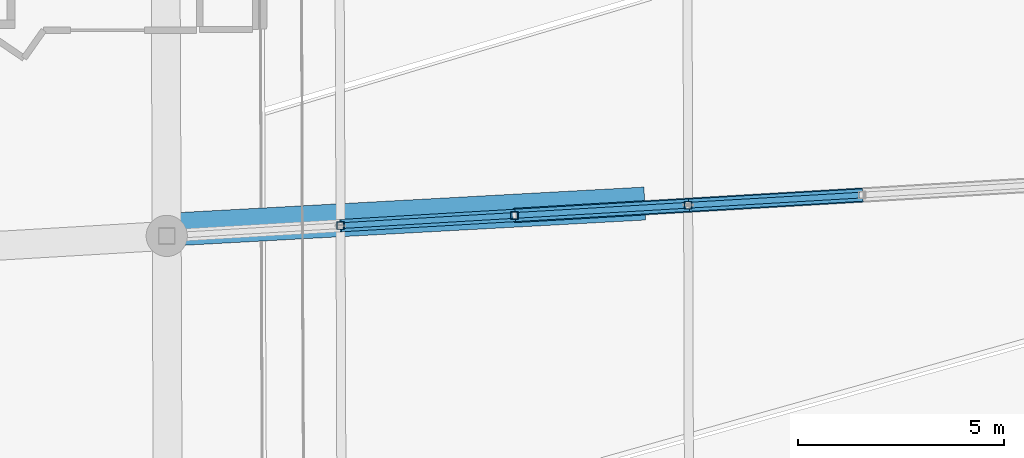
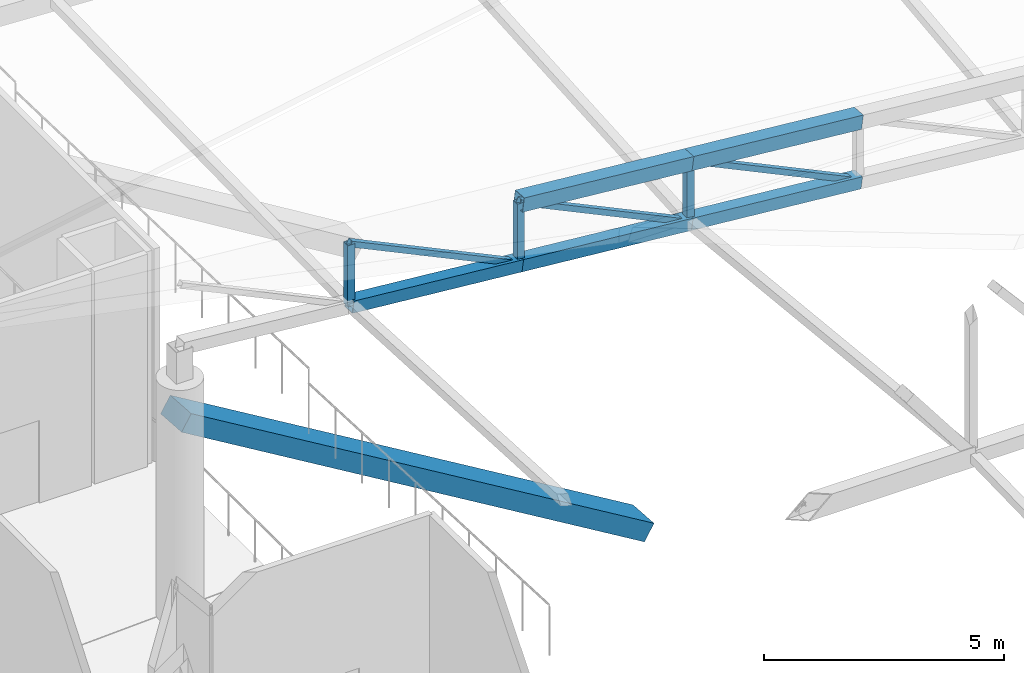
# One storey, part 50 of 344: 11 members, 1 beam.
"""IFC4 building model written with IfcOpenShell, lengths in metres."""

from ifc_helpers import new_model, si_unit, direction, frame, origin, origin_2d, place, context, subcontext, project, spatial, rectangle, hollow_rectangle, extrude, material, material_profile, profile_set, type_object, element, save


model = new_model("IFC4")

# Units and contexts
model_context = context("Model", 3, precision=1e-05, world=origin(), true_north=direction((0.0, 1.0)))
body_context = subcontext(model_context, "Body", "Model", "MODEL_VIEW")
ifc_project = project(units=[si_unit("LENGTHUNIT", "METRE"), si_unit("AREAUNIT", "SQUARE_METRE"), si_unit("VOLUMEUNIT", "CUBIC_METRE"), si_unit("PLANEANGLEUNIT", "RADIAN"), si_unit("MASSUNIT", "GRAM", prefix="KILO")], contexts=[model_context])

# Site, building, storey
site_placement = place(None, origin())
site = spatial("IfcSite", under=ifc_project, at=site_placement, CompositionType="ELEMENT")
building_placement = place(site_placement, origin())
building = spatial("IfcBuilding", under=site, at=building_placement, Name="Meseta Stadium", CompositionType="ELEMENT")
storey_placement = place(building_placement, frame((0.0, 0.0, 24.0)))
storey = spatial("IfcBuildingStorey", under=building, at=storey_placement, Name="L04", CompositionType="ELEMENT", Elevation=24.0)

# Beam
ifc_material_1 = material(Name="Concrete C40/50", Category="concrete")
ifc_material_profile_1 = material_profile(ifc_material_1, rectangle(XDim=0.800048828125, YDim=0.449951171875, at=origin_2d()), Name="RC 800x450")
ifc_profile_set_1 = profile_set([ifc_material_profile_1], Name="Concrete C40/50")
beam_type = type_object("IfcBeamType", Name="RC raker upper rear 800x450", PredefinedType="USERDEFINED", material=ifc_profile_set_1)
beam_placement = place(storey_placement, frame((-73.451416015625, -29.904052734375, -2.212158203125), z_axis=(-0.846740729014, -0.046430045715, 0.529975837831), x_axis=(0.054751589678, -0.998500006724, 0.0)))
element("IfcBeam", 1, at=beam_placement, inside=storey, type_object=beam_type, Name="Raker upper rear frame 35 upper tier", ObjectType="RAKER", PredefinedType="USERDEFINED", context=body_context, shape_type="SweptSolid", body=[
    extrude(rectangle(XDim=0.800048828125, YDim=0.449951171875, at=origin_2d()), origin(), (0.0, 0.0, 1.0), 13.56103515625),
])

# Members
ifc_material_2 = material(Name="Steel S355", Category="steel")
ifc_material_profile_2 = material_profile(ifc_material_2, hollow_rectangle(XDim=0.139892578125, YDim=0.139892578125, WallThickness=0.0048828125, at=origin_2d()), Name="SHS 140x140x5")
ifc_profile_set_2 = profile_set([ifc_material_profile_2], Name="Steel S355")
member_type_1 = type_object("IfcMemberType", Name="SHS 140x140x5 diagonal", PredefinedType="BRACE", material=ifc_profile_set_2)
for number, where, z_axis, x_axis, name in (
    (2, (-68.065673828125, -29.69140625, 4.508544921875), (-0.891499988097, -0.052362198096, 0.449984412435), (0.05863388944, -0.998279553537, 0.0), "ROOF TRUSS RT-35 diagonal"),
    (3, (-72.280517578125, -29.93896484375, 5.08154296875), (-0.891499988097, -0.052362198096, 0.449984412435), (0.05863388944, -0.998279553537, 0.0), "ROOF TRUSS RT-35 diagonal"),
):
    element("IfcMember", number, at=place(storey_placement, frame(where, z_axis=z_axis, x_axis=x_axis)), inside=storey, type_object=member_type_1, Name=name, PredefinedType="BRACE", context=body_context, shape_type="SweptSolid", body=[
        extrude(hollow_rectangle(XDim=0.139892578125, YDim=0.139892578125, WallThickness=0.0048828125, at=origin_2d()), origin(), (0.0, 0.0, 1.0), 4.727783203125),
    ])
member_1_placement = place(storey_placement, frame((-76.495361328125, -30.1865234375, 5.654296875), z_axis=(-0.891510585173, -0.052359787626, 0.449963697608), x_axis=(0.058630505001, -0.998279752316, 0.0)))
element("IfcMember", 4, at=member_1_placement, inside=storey, type_object=member_type_1, Name="ROOF TRUSS RT-35 diagonal", PredefinedType="BRACE", context=body_context, shape_type="SweptSolid", body=[
    extrude(hollow_rectangle(XDim=0.139892578125, YDim=0.139892578125, WallThickness=0.0048828125, at=origin_2d()), origin(), (0.0, 0.0, 1.0), 4.72802734375),
])
ifc_material_3 = material(Name="Steel S355", Category="steel")
ifc_material_profile_3 = material_profile(ifc_material_3, hollow_rectangle(XDim=0.179931640625, YDim=0.179931640625, WallThickness=0.00634765625, at=origin_2d()), Name="SHS 180x180x6.3")
ifc_profile_set_3 = profile_set([ifc_material_profile_3], Name="Steel S355")
member_type_2 = type_object("IfcMemberType", Name="SHS 180x180x6.3 post", PredefinedType="POST", material=ifc_profile_set_3)
member_2_placement = place(storey_placement, frame((-72.280517578125, -29.93896484375, 5.08154296875), z_axis=(0.0, 0.0, 1.0), x_axis=(1.0, 0.0, 0.0)))
element("IfcMember", 5, at=member_2_placement, inside=storey, type_object=member_type_2, Name="ROOF TRUSS RT-35 post", PredefinedType="POST", context=body_context, shape_type="SweptSolid", body=[
    extrude(hollow_rectangle(XDim=0.179931640625, YDim=0.179931640625, WallThickness=0.00634765625, at=origin_2d()), origin(), (0.0, 0.0, 1.0), 1.554443359375),
])
for number, where, z_axis, x_axis, name in (
    (6, (-76.495361328125, -30.1865234375, 5.654296875), (0.0, 0.0, 1.0), (1.0, 0.0, 0.0), "ROOF TRUSS RT-35 post"),
    (7, (-80.71044921875, -30.43408203125, 6.22705078125), (0.0, 0.0, 1.0), (1.0, 0.0, 0.0), "ROOF TRUSS RT-35 post"),
):
    element("IfcMember", number, at=place(storey_placement, frame(where, z_axis=z_axis, x_axis=x_axis)), inside=storey, type_object=member_type_2, Name=name, PredefinedType="POST", context=body_context, shape_type="SweptSolid", body=[
        extrude(hollow_rectangle(XDim=0.179931640625, YDim=0.179931640625, WallThickness=0.00634765625, at=origin_2d()), origin(), (0.0, 0.0, 1.0), 1.5546875),
    ])
ifc_material_4 = material(Name="Steel S355", Category="steel")
ifc_material_profile_4 = material_profile(ifc_material_4, hollow_rectangle(XDim=0.300048828125, YDim=0.300048828125, WallThickness=0.010009765625, at=origin_2d()), Name="SHS 300x300x10")
ifc_profile_set_4 = profile_set([ifc_material_profile_4], Name="Steel S355")
member_type_3 = type_object("IfcMemberType", Name="SHS 300x300x10 bottom chord", PredefinedType="CHORD", material=ifc_profile_set_4)
for number, where, z_axis, x_axis, name in (
    (8, (-68.065673828125, -29.69140625, 4.508544921875), (-0.989211361344, -0.058101269718, 0.134480946772), (0.05863388944, -0.998279553537, 0.0), "ROOF TRUSS RT-35 bottom chord"),
    (9, (-72.280517578125, -29.93896484375, 5.08154296875), (-0.98921898231, -0.058101717334, 0.1344246833), (0.05863388944, -0.998279553537, 0.0), "ROOF TRUSS RT-35 bottom chord"),
):
    element("IfcMember", number, at=place(storey_placement, frame(where, z_axis=z_axis, x_axis=x_axis)), inside=storey, type_object=member_type_3, Name=name, PredefinedType="CHORD", context=body_context, shape_type="SweptSolid", body=[
        extrude(hollow_rectangle(XDim=0.300048828125, YDim=0.300048828125, WallThickness=0.010009765625, at=origin_2d()), origin(), (0.0, 0.0, 1.0), 4.2607421875),
    ])
member_3_placement = place(storey_placement, frame((-76.495361328125, -30.1865234375, 5.654296875), z_axis=(-0.98922021104, -0.058098424211, 0.134417064298), x_axis=(0.058630505001, -0.998279752316, 0.0)))
element("IfcMember", 10, at=member_3_placement, inside=storey, type_object=member_type_3, Name="ROOF TRUSS RT-35 bottom chord", PredefinedType="CHORD", context=body_context, shape_type="SweptSolid", body=[
    extrude(hollow_rectangle(XDim=0.300048828125, YDim=0.300048828125, WallThickness=0.010009765625, at=origin_2d()), origin(), (0.0, 0.0, 1.0), 4.260986328125),
])
ifc_material_5 = material(Name="Steel S355", Category="steel")
ifc_material_profile_5 = material_profile(ifc_material_5, hollow_rectangle(XDim=0.35009765625, YDim=0.35009765625, WallThickness=0.010009765625, at=origin_2d()), Name="SHS 350x350x10")
ifc_profile_set_5 = profile_set([ifc_material_profile_5], Name="Steel S355")
member_type_4 = type_object("IfcMemberType", Name="SHS 350x350x10 top chord", PredefinedType="CHORD", material=ifc_profile_set_5)
for number, where, z_axis, x_axis, name in (
    (11, (-68.065673828125, -29.69140625, 6.063232421875), (-0.98921898231, -0.058101717334, 0.1344246833), (0.05863388944, -0.998279553537, 0.0), "ROOF TRUSS RT-35 top chord"),
    (12, (-72.280517578125, -29.93896484375, 6.635986328125), (-0.989211361344, -0.058101269718, 0.134480946772), (0.05863388944, -0.998279553537, 0.0), "ROOF TRUSS RT-35 top chord"),
):
    element("IfcMember", number, at=place(storey_placement, frame(where, z_axis=z_axis, x_axis=x_axis)), inside=storey, type_object=member_type_4, Name=name, PredefinedType="CHORD", context=body_context, shape_type="SweptSolid", body=[
        extrude(hollow_rectangle(XDim=0.35009765625, YDim=0.35009765625, WallThickness=0.010009765625, at=origin_2d()), origin(), (0.0, 0.0, 1.0), 4.2607421875),
    ])

save(model, "model.ifc")
